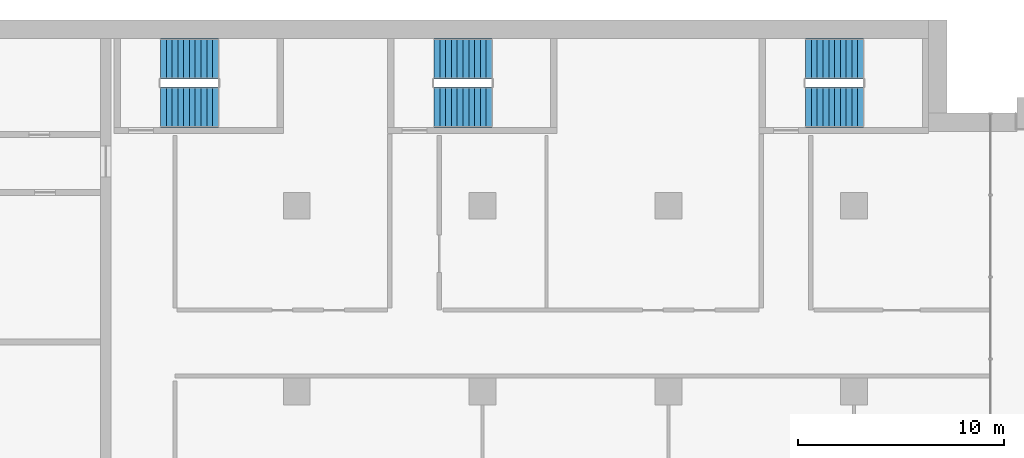
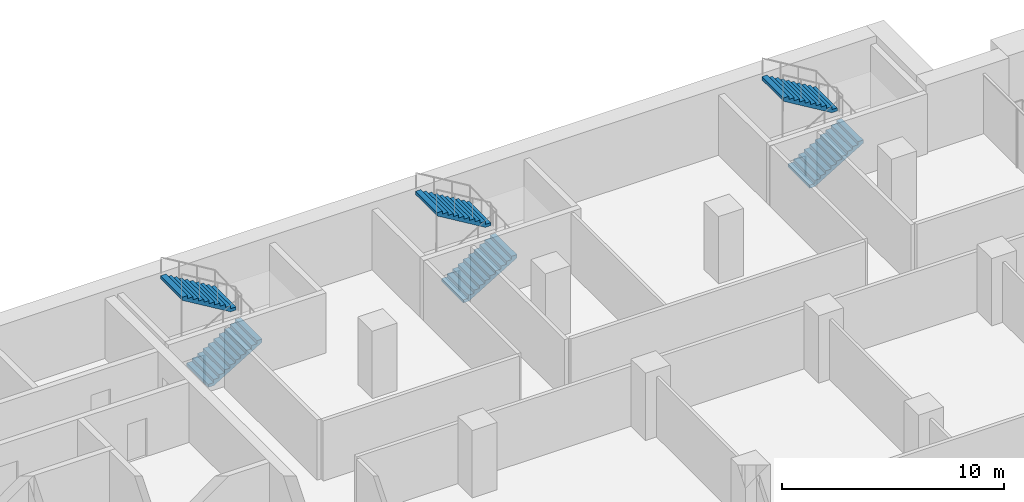
# One storey, part 17 of 22: 6 stair flights, 3 elements without a shape of their own.
"""IFC4 building model written with IfcOpenShell, lengths in metres."""

from ifc_helpers import new_model, si_unit, direction, frame, origin, place, context, subcontext, project, spatial, polyline, outline, extrude, material, type_object, element, aggregate, save


model = new_model("IFC4")

# Units and contexts
model_context = context("Model", 3, precision=1e-05, world=origin(), true_north=direction((0.0, 1.0)))
body_context = subcontext(model_context, "Body", "Model", "MODEL_VIEW")
ifc_project = project(units=[si_unit("LENGTHUNIT", "METRE"), si_unit("AREAUNIT", "SQUARE_METRE"), si_unit("VOLUMEUNIT", "CUBIC_METRE"), si_unit("PLANEANGLEUNIT", "RADIAN"), si_unit("MASSUNIT", "GRAM", prefix="KILO")], contexts=[model_context])

# Site, building, storey
site_placement = place(None, origin())
site = spatial("IfcSite", under=ifc_project, at=site_placement, CompositionType="ELEMENT")
building_placement = place(site_placement, origin())
building = spatial("IfcBuilding", under=site, at=building_placement, Name="Hunhe Ridgeline Campus", CompositionType="ELEMENT")
storey_placement = place(building_placement, frame((0.0, 0.0, 118.10009765625)))
storey = spatial("IfcBuildingStorey", under=building, at=storey_placement, Name="L29", CompositionType="ELEMENT", Elevation=118.10009765625)

# Stair, stair flights
ifc_material = material(Name="Concrete C40", Category="concrete")
stair_type = type_object("IfcStairType", Name="Reinforced concrete dog-leg stair 1950 Concrete C40", PredefinedType="HALF_TURN_STAIR", material=ifc_material)
stair_1_placement = place(storey_placement, origin())
stair_1 = element("IfcStair", 1, at=stair_1_placement, inside=storey, type_object=stair_type, Name="L29 E1", PredefinedType="HALF_TURN_STAIR")
stair_flight_type = type_object("IfcStairFlightType", Name="Reinforced concrete stair flight 1950 Concrete C40", PredefinedType="STRAIGHT", material=ifc_material)
stair_flight_1_placement = place(storey_placement, frame((38.39990234375, 94.77490234375, 0.0), z_axis=(0.0, 0.0, 1.0), x_axis=(1.0, 0.0, 0.0)))
stair_flight_1 = element("IfcStairFlight", 2, at=stair_flight_1_placement, type_object=stair_flight_type, Name="ST5 flight 1", NumberOfRisers=11, NumberOfTreads=10, PredefinedType="STRAIGHT", RiserHeight=0.168181818, TreadLength=0.28, context=body_context, shape_type="SweptSolid", body=[
    extrude(outline(polyline([(0.0, 0.0), (0.0, 0.168212890625), (0.280029296875, 0.168212890625), (0.280029296875, 0.33642578125), (0.56005859375, 0.33642578125), (0.56005859375, 0.504638671875), (0.840087890625, 0.504638671875), (0.840087890625, 0.672607421875), (1.1201171875, 0.672607421875), (1.1201171875, 0.8408203125), (1.39990234375, 0.8408203125), (1.39990234375, 1.009033203125), (1.679931640625, 1.009033203125), (1.679931640625, 1.17724609375), (1.9599609375, 1.17724609375), (1.9599609375, 1.345458984375), (2.239990234375, 1.345458984375), (2.239990234375, 1.513671875), (2.52001953125, 1.513671875), (2.52001953125, 1.681884765625), (2.800048828125, 1.681884765625), (2.800048828125, 1.85009765625), (2.800048828125, 1.5068359375), (0.291015625, 0.0), (0.0, 0.0)])), frame((0.0, 0.97509765625, 0.0), z_axis=(0.0, -1.0, 0.0), x_axis=(1.0, 0.0, 0.0)), (0.0, 0.0, 1.0), 1.949951171875),
    extrude(outline(polyline([(0.030029296875, 0.030029296875), (0.030029296875, 0.13818359375), (0.31005859375, 0.13818359375), (0.31005859375, 0.306396484375), (0.590087890625, 0.306396484375), (0.590087890625, 0.474609375), (0.8701171875, 0.474609375), (0.8701171875, 0.642578125), (1.14990234375, 0.642578125), (1.14990234375, 0.810791015625), (1.429931640625, 0.810791015625), (1.429931640625, 0.97900390625), (1.7099609375, 0.97900390625), (1.7099609375, 1.147216796875), (1.989990234375, 1.147216796875), (1.989990234375, 1.3154296875), (2.27001953125, 1.3154296875), (2.27001953125, 1.483642578125), (2.550048828125, 1.483642578125), (2.550048828125, 1.65185546875), (2.77001953125, 1.65185546875), (2.77001953125, 1.52392578125), (0.28271484375, 0.030029296875), (0.030029296875, 0.030029296875)])), frame((0.0, -0.070068359375, 0.0), z_axis=(0.0, -1.0, 0.0), x_axis=(1.0, 0.0, 0.0)), (0.0, 0.0, 1.0), 0.019775390625),
    extrude(outline(polyline([(0.030029296875, 0.030029296875), (0.030029296875, 0.13818359375), (0.31005859375, 0.13818359375), (0.31005859375, 0.306396484375), (0.590087890625, 0.306396484375), (0.590087890625, 0.474609375), (0.8701171875, 0.474609375), (0.8701171875, 0.642578125), (1.14990234375, 0.642578125), (1.14990234375, 0.810791015625), (1.429931640625, 0.810791015625), (1.429931640625, 0.97900390625), (1.7099609375, 0.97900390625), (1.7099609375, 1.147216796875), (1.989990234375, 1.147216796875), (1.989990234375, 1.3154296875), (2.27001953125, 1.3154296875), (2.27001953125, 1.483642578125), (2.550048828125, 1.483642578125), (2.550048828125, 1.65185546875), (2.77001953125, 1.65185546875), (2.77001953125, 1.52392578125), (0.28271484375, 0.030029296875), (0.030029296875, 0.030029296875)])), frame((0.0, 0.010009765625, 0.0), z_axis=(0.0, -1.0, 0.0), x_axis=(1.0, 0.0, 0.0)), (0.0, 0.0, 1.0), 0.019775390625),
    extrude(outline(polyline([(0.030029296875, 0.030029296875), (0.030029296875, 0.13818359375), (0.31005859375, 0.13818359375), (0.31005859375, 0.306396484375), (0.590087890625, 0.306396484375), (0.590087890625, 0.474609375), (0.8701171875, 0.474609375), (0.8701171875, 0.642578125), (1.14990234375, 0.642578125), (1.14990234375, 0.810791015625), (1.429931640625, 0.810791015625), (1.429931640625, 0.97900390625), (1.7099609375, 0.97900390625), (1.7099609375, 1.147216796875), (1.989990234375, 1.147216796875), (1.989990234375, 1.3154296875), (2.27001953125, 1.3154296875), (2.27001953125, 1.483642578125), (2.550048828125, 1.483642578125), (2.550048828125, 1.65185546875), (2.77001953125, 1.65185546875), (2.77001953125, 1.52392578125), (0.28271484375, 0.030029296875), (0.030029296875, 0.030029296875)])), frame((0.0, 0.090087890625, 0.0), z_axis=(0.0, -1.0, 0.0), x_axis=(1.0, 0.0, 0.0)), (0.0, 0.0, 1.0), 0.019775390625),
])
stair_flight_2_placement = place(storey_placement, frame((41.199951171875, 97.125, 1.849853515625), z_axis=(0.0, 0.0, 1.0), x_axis=(-1.0, 0.0, 0.0)))
stair_flight_2 = element("IfcStairFlight", 3, at=stair_flight_2_placement, type_object=stair_flight_type, Name="ST5 flight 2", NumberOfRisers=11, NumberOfTreads=10, PredefinedType="STRAIGHT", RiserHeight=0.168181818, TreadLength=0.28, context=body_context, shape_type="SweptSolid", body=[
    extrude(outline(polyline([(0.0, 0.0), (0.0, 0.168212890625), (0.280029296875, 0.168212890625), (0.280029296875, 0.33642578125), (0.56005859375, 0.33642578125), (0.56005859375, 0.504638671875), (0.840087890625, 0.504638671875), (0.840087890625, 0.672607421875), (1.1201171875, 0.672607421875), (1.1201171875, 0.8408203125), (1.39990234375, 0.8408203125), (1.39990234375, 1.009033203125), (1.679931640625, 1.009033203125), (1.679931640625, 1.17724609375), (1.9599609375, 1.17724609375), (1.9599609375, 1.345458984375), (2.239990234375, 1.345458984375), (2.239990234375, 1.513671875), (2.52001953125, 1.513671875), (2.52001953125, 1.681884765625), (2.800048828125, 1.681884765625), (2.800048828125, 1.85009765625), (2.800048828125, 1.5068359375), (0.291015625, 0.0), (0.0, 0.0)])), frame((0.0, 0.97509765625, 0.0), z_axis=(0.0, -1.0, 0.0), x_axis=(1.0, 0.0, 0.0)), (0.0, 0.0, 1.0), 1.949951171875),
    extrude(outline(polyline([(0.030029296875, 0.030029296875), (0.030029296875, 0.13818359375), (0.31005859375, 0.13818359375), (0.31005859375, 0.306396484375), (0.590087890625, 0.306396484375), (0.590087890625, 0.474609375), (0.8701171875, 0.474609375), (0.8701171875, 0.642578125), (1.14990234375, 0.642578125), (1.14990234375, 0.810791015625), (1.429931640625, 0.810791015625), (1.429931640625, 0.97900390625), (1.7099609375, 0.97900390625), (1.7099609375, 1.147216796875), (1.989990234375, 1.147216796875), (1.989990234375, 1.3154296875), (2.27001953125, 1.3154296875), (2.27001953125, 1.483642578125), (2.550048828125, 1.483642578125), (2.550048828125, 1.65185546875), (2.77001953125, 1.65185546875), (2.77001953125, 1.52392578125), (0.28271484375, 0.030029296875), (0.030029296875, 0.030029296875)])), frame((0.0, -0.070068359375, 0.0), z_axis=(0.0, -1.0, 0.0), x_axis=(1.0, 0.0, 0.0)), (0.0, 0.0, 1.0), 0.019775390625),
    extrude(outline(polyline([(0.030029296875, 0.030029296875), (0.030029296875, 0.13818359375), (0.31005859375, 0.13818359375), (0.31005859375, 0.306396484375), (0.590087890625, 0.306396484375), (0.590087890625, 0.474609375), (0.8701171875, 0.474609375), (0.8701171875, 0.642578125), (1.14990234375, 0.642578125), (1.14990234375, 0.810791015625), (1.429931640625, 0.810791015625), (1.429931640625, 0.97900390625), (1.7099609375, 0.97900390625), (1.7099609375, 1.147216796875), (1.989990234375, 1.147216796875), (1.989990234375, 1.3154296875), (2.27001953125, 1.3154296875), (2.27001953125, 1.483642578125), (2.550048828125, 1.483642578125), (2.550048828125, 1.65185546875), (2.77001953125, 1.65185546875), (2.77001953125, 1.52392578125), (0.28271484375, 0.030029296875), (0.030029296875, 0.030029296875)])), frame((0.0, 0.010009765625, 0.0), z_axis=(0.0, -1.0, 0.0), x_axis=(1.0, 0.0, 0.0)), (0.0, 0.0, 1.0), 0.019775390625),
    extrude(outline(polyline([(0.030029296875, 0.030029296875), (0.030029296875, 0.13818359375), (0.31005859375, 0.13818359375), (0.31005859375, 0.306396484375), (0.590087890625, 0.306396484375), (0.590087890625, 0.474609375), (0.8701171875, 0.474609375), (0.8701171875, 0.642578125), (1.14990234375, 0.642578125), (1.14990234375, 0.810791015625), (1.429931640625, 0.810791015625), (1.429931640625, 0.97900390625), (1.7099609375, 0.97900390625), (1.7099609375, 1.147216796875), (1.989990234375, 1.147216796875), (1.989990234375, 1.3154296875), (2.27001953125, 1.3154296875), (2.27001953125, 1.483642578125), (2.550048828125, 1.483642578125), (2.550048828125, 1.65185546875), (2.77001953125, 1.65185546875), (2.77001953125, 1.52392578125), (0.28271484375, 0.030029296875), (0.030029296875, 0.030029296875)])), frame((0.0, 0.090087890625, 0.0), z_axis=(0.0, -1.0, 0.0), x_axis=(1.0, 0.0, 0.0)), (0.0, 0.0, 1.0), 0.019775390625),
])
aggregate(stair_1, [stair_flight_1, stair_flight_2])

stair_2_placement = place(storey_placement, origin())
stair_2 = element("IfcStair", 4, at=stair_2_placement, inside=storey, type_object=stair_type, Name="L29 E2", PredefinedType="HALF_TURN_STAIR")
stair_flight_3_placement = place(storey_placement, frame((51.64990234375, 94.77490234375, 0.0), z_axis=(0.0, 0.0, 1.0), x_axis=(1.0, 0.0, 0.0)))
stair_flight_3 = element("IfcStairFlight", 5, at=stair_flight_3_placement, type_object=stair_flight_type, Name="ST6 flight 1", NumberOfRisers=11, NumberOfTreads=10, PredefinedType="STRAIGHT", RiserHeight=0.168181818, TreadLength=0.28, context=body_context, shape_type="SweptSolid", body=[
    extrude(outline(polyline([(0.0, 0.0), (0.0, 0.168212890625), (0.280029296875, 0.168212890625), (0.280029296875, 0.33642578125), (0.56005859375, 0.33642578125), (0.56005859375, 0.504638671875), (0.840087890625, 0.504638671875), (0.840087890625, 0.672607421875), (1.1201171875, 0.672607421875), (1.1201171875, 0.8408203125), (1.39990234375, 0.8408203125), (1.39990234375, 1.009033203125), (1.679931640625, 1.009033203125), (1.679931640625, 1.17724609375), (1.9599609375, 1.17724609375), (1.9599609375, 1.345458984375), (2.239990234375, 1.345458984375), (2.239990234375, 1.513671875), (2.52001953125, 1.513671875), (2.52001953125, 1.681884765625), (2.800048828125, 1.681884765625), (2.800048828125, 1.85009765625), (2.800048828125, 1.5068359375), (0.291015625, 0.0), (0.0, 0.0)])), frame((0.0, 0.97509765625, 0.0), z_axis=(0.0, -1.0, 0.0), x_axis=(1.0, 0.0, 0.0)), (0.0, 0.0, 1.0), 1.949951171875),
    extrude(outline(polyline([(0.030029296875, 0.030029296875), (0.030029296875, 0.13818359375), (0.31005859375, 0.13818359375), (0.31005859375, 0.306396484375), (0.590087890625, 0.306396484375), (0.590087890625, 0.474609375), (0.8701171875, 0.474609375), (0.8701171875, 0.642578125), (1.14990234375, 0.642578125), (1.14990234375, 0.810791015625), (1.429931640625, 0.810791015625), (1.429931640625, 0.97900390625), (1.7099609375, 0.97900390625), (1.7099609375, 1.147216796875), (1.989990234375, 1.147216796875), (1.989990234375, 1.3154296875), (2.27001953125, 1.3154296875), (2.27001953125, 1.483642578125), (2.550048828125, 1.483642578125), (2.550048828125, 1.65185546875), (2.77001953125, 1.65185546875), (2.77001953125, 1.52392578125), (0.28271484375, 0.030029296875), (0.030029296875, 0.030029296875)])), frame((0.0, -0.070068359375, 0.0), z_axis=(0.0, -1.0, 0.0), x_axis=(1.0, 0.0, 0.0)), (0.0, 0.0, 1.0), 0.019775390625),
    extrude(outline(polyline([(0.030029296875, 0.030029296875), (0.030029296875, 0.13818359375), (0.31005859375, 0.13818359375), (0.31005859375, 0.306396484375), (0.590087890625, 0.306396484375), (0.590087890625, 0.474609375), (0.8701171875, 0.474609375), (0.8701171875, 0.642578125), (1.14990234375, 0.642578125), (1.14990234375, 0.810791015625), (1.429931640625, 0.810791015625), (1.429931640625, 0.97900390625), (1.7099609375, 0.97900390625), (1.7099609375, 1.147216796875), (1.989990234375, 1.147216796875), (1.989990234375, 1.3154296875), (2.27001953125, 1.3154296875), (2.27001953125, 1.483642578125), (2.550048828125, 1.483642578125), (2.550048828125, 1.65185546875), (2.77001953125, 1.65185546875), (2.77001953125, 1.52392578125), (0.28271484375, 0.030029296875), (0.030029296875, 0.030029296875)])), frame((0.0, 0.010009765625, 0.0), z_axis=(0.0, -1.0, 0.0), x_axis=(1.0, 0.0, 0.0)), (0.0, 0.0, 1.0), 0.019775390625),
    extrude(outline(polyline([(0.030029296875, 0.030029296875), (0.030029296875, 0.13818359375), (0.31005859375, 0.13818359375), (0.31005859375, 0.306396484375), (0.590087890625, 0.306396484375), (0.590087890625, 0.474609375), (0.8701171875, 0.474609375), (0.8701171875, 0.642578125), (1.14990234375, 0.642578125), (1.14990234375, 0.810791015625), (1.429931640625, 0.810791015625), (1.429931640625, 0.97900390625), (1.7099609375, 0.97900390625), (1.7099609375, 1.147216796875), (1.989990234375, 1.147216796875), (1.989990234375, 1.3154296875), (2.27001953125, 1.3154296875), (2.27001953125, 1.483642578125), (2.550048828125, 1.483642578125), (2.550048828125, 1.65185546875), (2.77001953125, 1.65185546875), (2.77001953125, 1.52392578125), (0.28271484375, 0.030029296875), (0.030029296875, 0.030029296875)])), frame((0.0, 0.090087890625, 0.0), z_axis=(0.0, -1.0, 0.0), x_axis=(1.0, 0.0, 0.0)), (0.0, 0.0, 1.0), 0.019775390625),
])
stair_flight_4_placement = place(storey_placement, frame((54.449951171875, 97.125, 1.849853515625), z_axis=(0.0, 0.0, 1.0), x_axis=(-1.0, 0.0, 0.0)))
stair_flight_4 = element("IfcStairFlight", 6, at=stair_flight_4_placement, type_object=stair_flight_type, Name="ST6 flight 2", NumberOfRisers=11, NumberOfTreads=10, PredefinedType="STRAIGHT", RiserHeight=0.168181818, TreadLength=0.28, context=body_context, shape_type="SweptSolid", body=[
    extrude(outline(polyline([(0.0, 0.0), (0.0, 0.168212890625), (0.280029296875, 0.168212890625), (0.280029296875, 0.33642578125), (0.56005859375, 0.33642578125), (0.56005859375, 0.504638671875), (0.840087890625, 0.504638671875), (0.840087890625, 0.672607421875), (1.1201171875, 0.672607421875), (1.1201171875, 0.8408203125), (1.39990234375, 0.8408203125), (1.39990234375, 1.009033203125), (1.679931640625, 1.009033203125), (1.679931640625, 1.17724609375), (1.9599609375, 1.17724609375), (1.9599609375, 1.345458984375), (2.239990234375, 1.345458984375), (2.239990234375, 1.513671875), (2.52001953125, 1.513671875), (2.52001953125, 1.681884765625), (2.800048828125, 1.681884765625), (2.800048828125, 1.85009765625), (2.800048828125, 1.5068359375), (0.291015625, 0.0), (0.0, 0.0)])), frame((0.0, 0.97509765625, 0.0), z_axis=(0.0, -1.0, 0.0), x_axis=(1.0, 0.0, 0.0)), (0.0, 0.0, 1.0), 1.949951171875),
    extrude(outline(polyline([(0.030029296875, 0.030029296875), (0.030029296875, 0.13818359375), (0.31005859375, 0.13818359375), (0.31005859375, 0.306396484375), (0.590087890625, 0.306396484375), (0.590087890625, 0.474609375), (0.8701171875, 0.474609375), (0.8701171875, 0.642578125), (1.14990234375, 0.642578125), (1.14990234375, 0.810791015625), (1.429931640625, 0.810791015625), (1.429931640625, 0.97900390625), (1.7099609375, 0.97900390625), (1.7099609375, 1.147216796875), (1.989990234375, 1.147216796875), (1.989990234375, 1.3154296875), (2.27001953125, 1.3154296875), (2.27001953125, 1.483642578125), (2.550048828125, 1.483642578125), (2.550048828125, 1.65185546875), (2.77001953125, 1.65185546875), (2.77001953125, 1.52392578125), (0.28271484375, 0.030029296875), (0.030029296875, 0.030029296875)])), frame((0.0, -0.070068359375, 0.0), z_axis=(0.0, -1.0, 0.0), x_axis=(1.0, 0.0, 0.0)), (0.0, 0.0, 1.0), 0.019775390625),
    extrude(outline(polyline([(0.030029296875, 0.030029296875), (0.030029296875, 0.13818359375), (0.31005859375, 0.13818359375), (0.31005859375, 0.306396484375), (0.590087890625, 0.306396484375), (0.590087890625, 0.474609375), (0.8701171875, 0.474609375), (0.8701171875, 0.642578125), (1.14990234375, 0.642578125), (1.14990234375, 0.810791015625), (1.429931640625, 0.810791015625), (1.429931640625, 0.97900390625), (1.7099609375, 0.97900390625), (1.7099609375, 1.147216796875), (1.989990234375, 1.147216796875), (1.989990234375, 1.3154296875), (2.27001953125, 1.3154296875), (2.27001953125, 1.483642578125), (2.550048828125, 1.483642578125), (2.550048828125, 1.65185546875), (2.77001953125, 1.65185546875), (2.77001953125, 1.52392578125), (0.28271484375, 0.030029296875), (0.030029296875, 0.030029296875)])), frame((0.0, 0.010009765625, 0.0), z_axis=(0.0, -1.0, 0.0), x_axis=(1.0, 0.0, 0.0)), (0.0, 0.0, 1.0), 0.019775390625),
    extrude(outline(polyline([(0.030029296875, 0.030029296875), (0.030029296875, 0.13818359375), (0.31005859375, 0.13818359375), (0.31005859375, 0.306396484375), (0.590087890625, 0.306396484375), (0.590087890625, 0.474609375), (0.8701171875, 0.474609375), (0.8701171875, 0.642578125), (1.14990234375, 0.642578125), (1.14990234375, 0.810791015625), (1.429931640625, 0.810791015625), (1.429931640625, 0.97900390625), (1.7099609375, 0.97900390625), (1.7099609375, 1.147216796875), (1.989990234375, 1.147216796875), (1.989990234375, 1.3154296875), (2.27001953125, 1.3154296875), (2.27001953125, 1.483642578125), (2.550048828125, 1.483642578125), (2.550048828125, 1.65185546875), (2.77001953125, 1.65185546875), (2.77001953125, 1.52392578125), (0.28271484375, 0.030029296875), (0.030029296875, 0.030029296875)])), frame((0.0, 0.090087890625, 0.0), z_axis=(0.0, -1.0, 0.0), x_axis=(1.0, 0.0, 0.0)), (0.0, 0.0, 1.0), 0.019775390625),
])
aggregate(stair_2, [stair_flight_3, stair_flight_4])

stair_3_placement = place(storey_placement, origin())
stair_3 = element("IfcStair", 7, at=stair_3_placement, inside=storey, type_object=stair_type, Name="L29 E3", PredefinedType="HALF_TURN_STAIR")
stair_flight_5_placement = place(storey_placement, frame((69.64990234375, 94.77490234375, 0.0), z_axis=(0.0, 0.0, 1.0), x_axis=(1.0, 0.0, 0.0)))
stair_flight_5 = element("IfcStairFlight", 8, at=stair_flight_5_placement, type_object=stair_flight_type, Name="ST7 flight 1", NumberOfRisers=11, NumberOfTreads=10, PredefinedType="STRAIGHT", RiserHeight=0.168181818, TreadLength=0.28, context=body_context, shape_type="SweptSolid", body=[
    extrude(outline(polyline([(0.0, 0.0), (0.0, 0.168212890625), (0.280029296875, 0.168212890625), (0.280029296875, 0.33642578125), (0.56005859375, 0.33642578125), (0.56005859375, 0.504638671875), (0.840087890625, 0.504638671875), (0.840087890625, 0.672607421875), (1.1201171875, 0.672607421875), (1.1201171875, 0.8408203125), (1.39990234375, 0.8408203125), (1.39990234375, 1.009033203125), (1.679931640625, 1.009033203125), (1.679931640625, 1.17724609375), (1.9599609375, 1.17724609375), (1.9599609375, 1.345458984375), (2.239990234375, 1.345458984375), (2.239990234375, 1.513671875), (2.52001953125, 1.513671875), (2.52001953125, 1.681884765625), (2.800048828125, 1.681884765625), (2.800048828125, 1.85009765625), (2.800048828125, 1.5068359375), (0.291015625, 0.0), (0.0, 0.0)])), frame((0.0, 0.97509765625, 0.0), z_axis=(0.0, -1.0, 0.0), x_axis=(1.0, 0.0, 0.0)), (0.0, 0.0, 1.0), 1.949951171875),
    extrude(outline(polyline([(0.030029296875, 0.030029296875), (0.030029296875, 0.13818359375), (0.31005859375, 0.13818359375), (0.31005859375, 0.306396484375), (0.590087890625, 0.306396484375), (0.590087890625, 0.474609375), (0.8701171875, 0.474609375), (0.8701171875, 0.642578125), (1.14990234375, 0.642578125), (1.14990234375, 0.810791015625), (1.429931640625, 0.810791015625), (1.429931640625, 0.97900390625), (1.7099609375, 0.97900390625), (1.7099609375, 1.147216796875), (1.989990234375, 1.147216796875), (1.989990234375, 1.3154296875), (2.27001953125, 1.3154296875), (2.27001953125, 1.483642578125), (2.550048828125, 1.483642578125), (2.550048828125, 1.65185546875), (2.77001953125, 1.65185546875), (2.77001953125, 1.52392578125), (0.28271484375, 0.030029296875), (0.030029296875, 0.030029296875)])), frame((0.0, -0.070068359375, 0.0), z_axis=(0.0, -1.0, 0.0), x_axis=(1.0, 0.0, 0.0)), (0.0, 0.0, 1.0), 0.019775390625),
    extrude(outline(polyline([(0.030029296875, 0.030029296875), (0.030029296875, 0.13818359375), (0.31005859375, 0.13818359375), (0.31005859375, 0.306396484375), (0.590087890625, 0.306396484375), (0.590087890625, 0.474609375), (0.8701171875, 0.474609375), (0.8701171875, 0.642578125), (1.14990234375, 0.642578125), (1.14990234375, 0.810791015625), (1.429931640625, 0.810791015625), (1.429931640625, 0.97900390625), (1.7099609375, 0.97900390625), (1.7099609375, 1.147216796875), (1.989990234375, 1.147216796875), (1.989990234375, 1.3154296875), (2.27001953125, 1.3154296875), (2.27001953125, 1.483642578125), (2.550048828125, 1.483642578125), (2.550048828125, 1.65185546875), (2.77001953125, 1.65185546875), (2.77001953125, 1.52392578125), (0.28271484375, 0.030029296875), (0.030029296875, 0.030029296875)])), frame((0.0, 0.010009765625, 0.0), z_axis=(0.0, -1.0, 0.0), x_axis=(1.0, 0.0, 0.0)), (0.0, 0.0, 1.0), 0.019775390625),
    extrude(outline(polyline([(0.030029296875, 0.030029296875), (0.030029296875, 0.13818359375), (0.31005859375, 0.13818359375), (0.31005859375, 0.306396484375), (0.590087890625, 0.306396484375), (0.590087890625, 0.474609375), (0.8701171875, 0.474609375), (0.8701171875, 0.642578125), (1.14990234375, 0.642578125), (1.14990234375, 0.810791015625), (1.429931640625, 0.810791015625), (1.429931640625, 0.97900390625), (1.7099609375, 0.97900390625), (1.7099609375, 1.147216796875), (1.989990234375, 1.147216796875), (1.989990234375, 1.3154296875), (2.27001953125, 1.3154296875), (2.27001953125, 1.483642578125), (2.550048828125, 1.483642578125), (2.550048828125, 1.65185546875), (2.77001953125, 1.65185546875), (2.77001953125, 1.52392578125), (0.28271484375, 0.030029296875), (0.030029296875, 0.030029296875)])), frame((0.0, 0.090087890625, 0.0), z_axis=(0.0, -1.0, 0.0), x_axis=(1.0, 0.0, 0.0)), (0.0, 0.0, 1.0), 0.019775390625),
])
stair_flight_6_placement = place(storey_placement, frame((72.449951171875, 97.125, 1.849853515625), z_axis=(0.0, 0.0, 1.0), x_axis=(-1.0, 0.0, 0.0)))
stair_flight_6 = element("IfcStairFlight", 9, at=stair_flight_6_placement, type_object=stair_flight_type, Name="ST7 flight 2", NumberOfRisers=11, NumberOfTreads=10, PredefinedType="STRAIGHT", RiserHeight=0.168181818, TreadLength=0.28, context=body_context, shape_type="SweptSolid", body=[
    extrude(outline(polyline([(0.0, 0.0), (0.0, 0.168212890625), (0.280029296875, 0.168212890625), (0.280029296875, 0.33642578125), (0.56005859375, 0.33642578125), (0.56005859375, 0.504638671875), (0.840087890625, 0.504638671875), (0.840087890625, 0.672607421875), (1.1201171875, 0.672607421875), (1.1201171875, 0.8408203125), (1.39990234375, 0.8408203125), (1.39990234375, 1.009033203125), (1.679931640625, 1.009033203125), (1.679931640625, 1.17724609375), (1.9599609375, 1.17724609375), (1.9599609375, 1.345458984375), (2.239990234375, 1.345458984375), (2.239990234375, 1.513671875), (2.52001953125, 1.513671875), (2.52001953125, 1.681884765625), (2.800048828125, 1.681884765625), (2.800048828125, 1.85009765625), (2.800048828125, 1.5068359375), (0.291015625, 0.0), (0.0, 0.0)])), frame((0.0, 0.97509765625, 0.0), z_axis=(0.0, -1.0, 0.0), x_axis=(1.0, 0.0, 0.0)), (0.0, 0.0, 1.0), 1.949951171875),
    extrude(outline(polyline([(0.030029296875, 0.030029296875), (0.030029296875, 0.13818359375), (0.31005859375, 0.13818359375), (0.31005859375, 0.306396484375), (0.590087890625, 0.306396484375), (0.590087890625, 0.474609375), (0.8701171875, 0.474609375), (0.8701171875, 0.642578125), (1.14990234375, 0.642578125), (1.14990234375, 0.810791015625), (1.429931640625, 0.810791015625), (1.429931640625, 0.97900390625), (1.7099609375, 0.97900390625), (1.7099609375, 1.147216796875), (1.989990234375, 1.147216796875), (1.989990234375, 1.3154296875), (2.27001953125, 1.3154296875), (2.27001953125, 1.483642578125), (2.550048828125, 1.483642578125), (2.550048828125, 1.65185546875), (2.77001953125, 1.65185546875), (2.77001953125, 1.52392578125), (0.28271484375, 0.030029296875), (0.030029296875, 0.030029296875)])), frame((0.0, -0.070068359375, 0.0), z_axis=(0.0, -1.0, 0.0), x_axis=(1.0, 0.0, 0.0)), (0.0, 0.0, 1.0), 0.019775390625),
    extrude(outline(polyline([(0.030029296875, 0.030029296875), (0.030029296875, 0.13818359375), (0.31005859375, 0.13818359375), (0.31005859375, 0.306396484375), (0.590087890625, 0.306396484375), (0.590087890625, 0.474609375), (0.8701171875, 0.474609375), (0.8701171875, 0.642578125), (1.14990234375, 0.642578125), (1.14990234375, 0.810791015625), (1.429931640625, 0.810791015625), (1.429931640625, 0.97900390625), (1.7099609375, 0.97900390625), (1.7099609375, 1.147216796875), (1.989990234375, 1.147216796875), (1.989990234375, 1.3154296875), (2.27001953125, 1.3154296875), (2.27001953125, 1.483642578125), (2.550048828125, 1.483642578125), (2.550048828125, 1.65185546875), (2.77001953125, 1.65185546875), (2.77001953125, 1.52392578125), (0.28271484375, 0.030029296875), (0.030029296875, 0.030029296875)])), frame((0.0, 0.010009765625, 0.0), z_axis=(0.0, -1.0, 0.0), x_axis=(1.0, 0.0, 0.0)), (0.0, 0.0, 1.0), 0.019775390625),
    extrude(outline(polyline([(0.030029296875, 0.030029296875), (0.030029296875, 0.13818359375), (0.31005859375, 0.13818359375), (0.31005859375, 0.306396484375), (0.590087890625, 0.306396484375), (0.590087890625, 0.474609375), (0.8701171875, 0.474609375), (0.8701171875, 0.642578125), (1.14990234375, 0.642578125), (1.14990234375, 0.810791015625), (1.429931640625, 0.810791015625), (1.429931640625, 0.97900390625), (1.7099609375, 0.97900390625), (1.7099609375, 1.147216796875), (1.989990234375, 1.147216796875), (1.989990234375, 1.3154296875), (2.27001953125, 1.3154296875), (2.27001953125, 1.483642578125), (2.550048828125, 1.483642578125), (2.550048828125, 1.65185546875), (2.77001953125, 1.65185546875), (2.77001953125, 1.52392578125), (0.28271484375, 0.030029296875), (0.030029296875, 0.030029296875)])), frame((0.0, 0.090087890625, 0.0), z_axis=(0.0, -1.0, 0.0), x_axis=(1.0, 0.0, 0.0)), (0.0, 0.0, 1.0), 0.019775390625),
])
aggregate(stair_3, [stair_flight_5, stair_flight_6])

save(model, "model.ifc")
